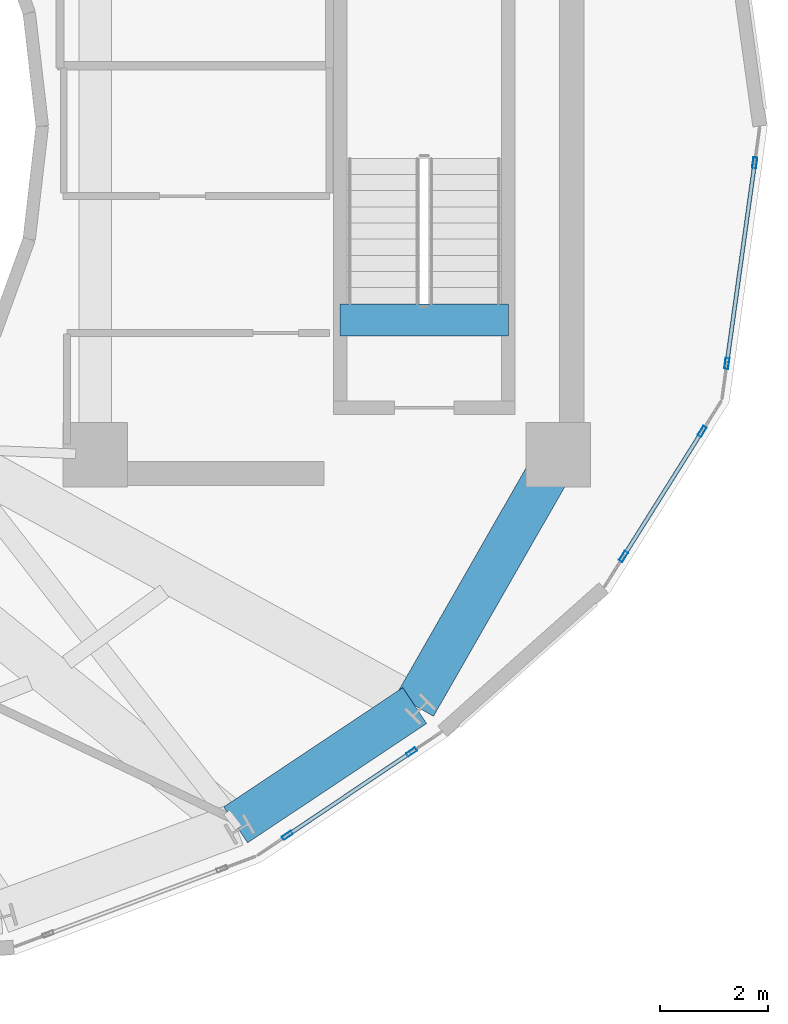
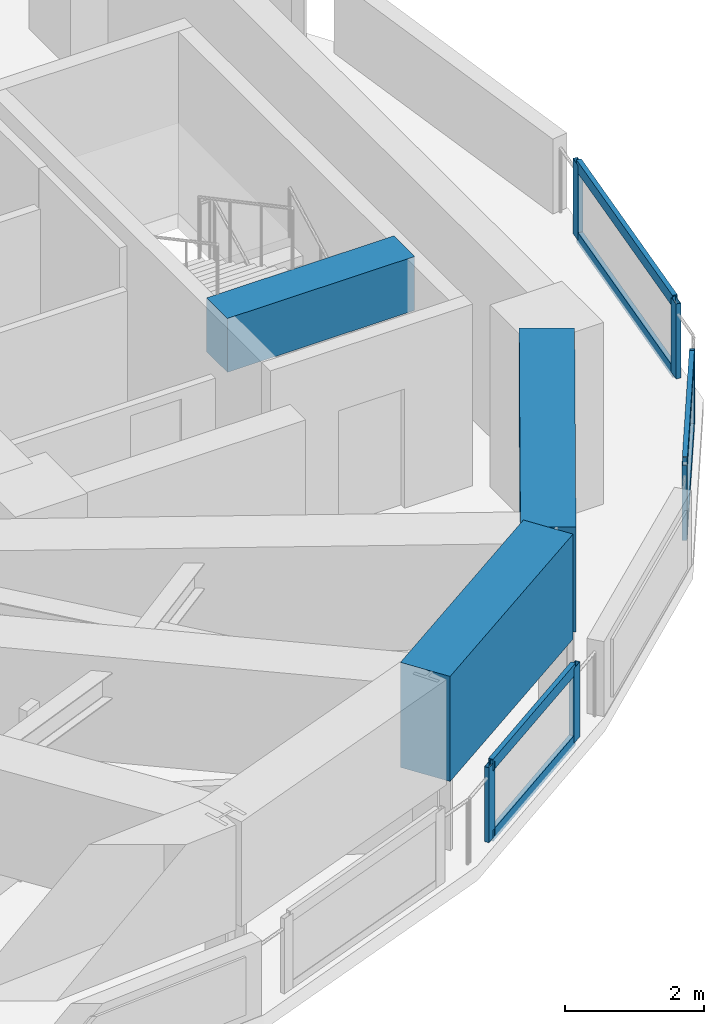
# One storey, part 10 of 17: 12 members, 3 beams, 3 elements without a shape of their own.
"""IFC4 building model written with IfcOpenShell, lengths in metres."""

from ifc_helpers import new_model, si_unit, direction, frame, origin, origin_2d, place, context, subcontext, project, spatial, rectangle, hollow_rectangle, extrude, material, layer, layer_set, material_profile, profile_set, type_object, element, aggregate, save


model = new_model("IFC4")

# Units and contexts
model_context = context("Model", 3, precision=1e-05, world=origin(), true_north=direction((0.0, 1.0)))
body_context = subcontext(model_context, "Body", "Model", "MODEL_VIEW")
ifc_project = project(units=[si_unit("LENGTHUNIT", "METRE"), si_unit("AREAUNIT", "SQUARE_METRE"), si_unit("VOLUMEUNIT", "CUBIC_METRE"), si_unit("PLANEANGLEUNIT", "RADIAN"), si_unit("MASSUNIT", "GRAM", prefix="KILO")], contexts=[model_context])

# Site, building, storey
site_placement = place(None, origin())
site = spatial("IfcSite", under=ifc_project, at=site_placement, CompositionType="ELEMENT")
building_placement = place(site_placement, origin())
building = spatial("IfcBuilding", under=site, at=building_placement, Name="Solvane Sanctuary Tower", CompositionType="ELEMENT")
storey_placement = place(building_placement, frame((0.0, 0.0, 270.0)))
storey = spatial("IfcBuildingStorey", under=building, at=storey_placement, Name="L82", CompositionType="ELEMENT", Elevation=270.0)

# Beams
ifc_material_1 = material(Name="Concrete C70/85", Category="concrete")
ifc_material_profile_1 = material_profile(ifc_material_1, rectangle(XDim=0.60009765625, YDim=0.949951171875, at=origin_2d()), Name="RC600X950")
ifc_profile_set_1 = profile_set([ifc_material_profile_1], Name="Concrete C70/85")
beam_type_1 = type_object("IfcBeamType", Name="Beam B-COUPLE RC600X950", PredefinedType="LINTEL", material=ifc_profile_set_1)
beam_1_placement = place(storey_placement, frame((44.64990234375, 19.399169921875, 2.72509765625), z_axis=(1.0, 0.0, 0.0), x_axis=(0.0, 1.0, 0.0)))
element("IfcBeam", 1, at=beam_1_placement, inside=storey, type_object=beam_type_1, Name="L82 ST-2 Stair Floor Landing Trimmer", PredefinedType="LINTEL", context=body_context, shape_type="SweptSolid", body=[
    extrude(rectangle(XDim=0.60009765625, YDim=0.949951171875, at=origin_2d()), origin(), (0.0, 0.0, 1.0), 3.1201171875),
])
ifc_material_profile_2 = material_profile(ifc_material_1, rectangle(XDim=0.800048828125, YDim=1.85009765625, at=origin_2d()), Name="RC800X1850")
ifc_profile_set_2 = profile_set([ifc_material_profile_2], Name="Concrete C70/85")
beam_type_2 = type_object("IfcBeamType", Name="Beam B-XFER-BLK RC800X1850", PredefinedType="BEAM", material=ifc_profile_set_2)
beam_2_placement = place(storey_placement, frame((42.7080078125, 10.027099609375, 2.27490234375), z_axis=(0.832388474479, 0.55419259067, 0.0), x_axis=(-0.55419259067, 0.832388474479, 0.0)))
element("IfcBeam", 2, at=beam_2_placement, inside=storey, type_object=beam_type_2, Name="L82 Perimeter Step Transfer Ring NTC13-NTC14", PredefinedType="BEAM", context=body_context, shape_type="SweptSolid", body=[
    extrude(rectangle(XDim=0.800048828125, YDim=1.85009765625, at=origin_2d()), origin(), (0.0, 0.0, 1.0), 3.99658203125),
])
beam_3_placement = place(storey_placement, frame((46.03466796875, 12.241943359375, 2.27490234375), z_axis=(0.496658745957, 0.867945902729, 0.0), x_axis=(-0.867945902729, 0.496658745957, 0.0)))
element("IfcBeam", 3, at=beam_3_placement, inside=storey, type_object=beam_type_2, Name="L82 Perimeter Step Transfer Ring NTC14-CE2", PredefinedType="BEAM", context=body_context, shape_type="SweptSolid", body=[
    extrude(rectangle(XDim=0.800048828125, YDim=1.85009765625, at=origin_2d()), origin(), (0.0, 0.0, 1.0), 5.006591796875),
])

# Curtain wall, members
ifc_material_2 = material(Name="Anodised Aluminium 6063-T6", Category="aluminium")
ifc_layer = layer(ifc_material_2, 0.219970703125, Name="Anodised Aluminium 6063-T6")
ifc_layer_set = layer_set([ifc_layer], Name="Anodised Aluminium 6063-T6")
curtain_wall_type = type_object("IfcCurtainWallType", Name="Curtain Wall CW-CROWN", PredefinedType="NOTDEFINED", material=ifc_layer_set)
curtain_wall_1_placement = place(storey_placement, origin())
curtain_wall_1 = element("IfcCurtainWall", 4, at=curtain_wall_1_placement, inside=storey, type_object=curtain_wall_type, Name="L82 Crown Fritted Lantern Curtain Wall 20", PredefinedType="NOTDEFINED")
ifc_material_profile_3 = material_profile(ifc_material_2, hollow_rectangle(XDim=0.074951171875, YDim=0.199951171875, WallThickness=0.00390625, at=origin_2d()), Name="ALU200X75X4")
ifc_profile_set_3 = profile_set([ifc_material_profile_3], Name="Anodised Aluminium 6063-T6")
member_type_1 = type_object("IfcMemberType", Name="Member M-CW-MUL-1 ALU200X75X4", PredefinedType="MULLION", material=ifc_profile_set_3)
member_1_placement = place(storey_placement, frame((43.669921875, 9.834228515625, 0.0), z_axis=(0.0, 0.0, 1.0), x_axis=(-0.557125161397, 0.830428536684, 0.0)))
member_1 = element("IfcMember", 5, at=member_1_placement, type_object=member_type_1, Name="CW-CROWN mullion 1", PredefinedType="MULLION", context=body_context, shape_type="SweptSolid", body=[
    extrude(hollow_rectangle(XDim=0.074951171875, YDim=0.199951171875, WallThickness=0.00390625, at=origin_2d()), origin(), (0.0, 0.0, 1.0), 1.320068359375),
])
member_2_placement = place(storey_placement, frame((45.97607421875, 11.38134765625, 0.0), z_axis=(0.0, 0.0, 1.0), x_axis=(-0.557125161397, 0.830428536684, 0.0)))
member_2 = element("IfcMember", 6, at=member_2_placement, type_object=member_type_1, Name="CW-CROWN mullion 2", PredefinedType="MULLION", context=body_context, shape_type="SweptSolid", body=[
    extrude(hollow_rectangle(XDim=0.074951171875, YDim=0.199951171875, WallThickness=0.00390625, at=origin_2d()), origin(), (0.0, 0.0, 1.0), 1.320068359375),
])

curtain_wall_2_placement = place(storey_placement, origin())
curtain_wall_2 = element("IfcCurtainWall", 7, at=curtain_wall_2_placement, inside=storey, type_object=curtain_wall_type, Name="L82 Crown Fritted Lantern Curtain Wall 22", PredefinedType="NOTDEFINED")
member_3_placement = place(storey_placement, frame((49.908203125, 15.009765625, 0.0), z_axis=(0.0, 0.0, 1.0), x_axis=(-0.84660365243, 0.532223877416, 0.0)))
member_3 = element("IfcMember", 8, at=member_3_placement, type_object=member_type_1, Name="CW-CROWN mullion 1", PredefinedType="MULLION", context=body_context, shape_type="SweptSolid", body=[
    extrude(hollow_rectangle(XDim=0.074951171875, YDim=0.199951171875, WallThickness=0.00390625, at=origin_2d()), origin(), (0.0, 0.0, 1.0), 1.320068359375),
])
member_4_placement = place(storey_placement, frame((51.367919921875, 17.33154296875, 0.0), z_axis=(0.0, 0.0, 1.0), x_axis=(-0.84660365243, 0.532223877416, 0.0)))
member_4 = element("IfcMember", 9, at=member_4_placement, type_object=member_type_1, Name="CW-CROWN mullion 2", PredefinedType="MULLION", context=body_context, shape_type="SweptSolid", body=[
    extrude(hollow_rectangle(XDim=0.074951171875, YDim=0.199951171875, WallThickness=0.00390625, at=origin_2d()), origin(), (0.0, 0.0, 1.0), 1.320068359375),
])

curtain_wall_3_placement = place(storey_placement, origin())
curtain_wall_3 = element("IfcCurtainWall", 10, at=curtain_wall_3_placement, inside=storey, type_object=curtain_wall_type, Name="L82 Crown Fritted Lantern Curtain Wall 23", PredefinedType="NOTDEFINED")
member_5_placement = place(storey_placement, frame((51.828369140625, 18.594482421875, 0.0), z_axis=(0.0, 0.0, 1.0), x_axis=(-0.990499772181, 0.13751436765, 0.0)))
member_5 = element("IfcMember", 11, at=member_5_placement, type_object=member_type_1, Name="CW-CROWN mullion 1", PredefinedType="MULLION", context=body_context, shape_type="SweptSolid", body=[
    extrude(hollow_rectangle(XDim=0.074951171875, YDim=0.199951171875, WallThickness=0.00390625, at=origin_2d()), origin(), (0.0, 0.0, 1.0), 1.320068359375),
])
member_6_placement = place(storey_placement, frame((52.345458984375, 22.319091796875, 0.0), z_axis=(0.0, 0.0, 1.0), x_axis=(-0.990499772181, 0.13751436765, 0.0)))
member_6 = element("IfcMember", 12, at=member_6_placement, type_object=member_type_1, Name="CW-CROWN mullion 2", PredefinedType="MULLION", context=body_context, shape_type="SweptSolid", body=[
    extrude(hollow_rectangle(XDim=0.074951171875, YDim=0.199951171875, WallThickness=0.00390625, at=origin_2d()), origin(), (0.0, 0.0, 1.0), 1.320068359375),
])

# Member
ifc_material_profile_4 = material_profile(ifc_material_2, hollow_rectangle(XDim=0.074951171875, YDim=0.199951171875, WallThickness=0.00390625, at=origin_2d()), Name="ALU200X75X4")
ifc_profile_set_4 = profile_set([ifc_material_profile_4], Name="Anodised Aluminium 6063-T6")
member_type_2 = type_object("IfcMemberType", Name="Member M-CW-TRN-2 ALU200X75X4", PredefinedType="USERDEFINED", material=ifc_profile_set_4)
member_7_placement = place(storey_placement, frame((43.701171875, 9.85498046875, 0.03759765625), z_axis=(0.830392523635, 0.55717883726, 0.0), x_axis=(-0.55717883726, 0.830392523635, 0.0)))
member_7 = element("IfcMember", 13, at=member_7_placement, type_object=member_type_2, Name="CW-CROWN transom 1.1", ObjectType="TRANSOM", PredefinedType="USERDEFINED", context=body_context, shape_type="SweptSolid", body=[
    extrude(hollow_rectangle(XDim=0.074951171875, YDim=0.199951171875, WallThickness=0.00390625, at=origin_2d()), origin(), (0.0, 0.0, 1.0), 2.7021484375),
])

member_8_placement = place(storey_placement, frame((43.701171875, 9.85498046875, 1.282470703125), z_axis=(0.830392523635, 0.55717883726, 0.0), x_axis=(-0.55717883726, 0.830392523635, 0.0)))
member_8 = element("IfcMember", 14, at=member_8_placement, type_object=member_type_2, Name="CW-CROWN transom 1.2", ObjectType="TRANSOM", PredefinedType="USERDEFINED", context=body_context, shape_type="SweptSolid", body=[
    extrude(hollow_rectangle(XDim=0.074951171875, YDim=0.199951171875, WallThickness=0.00390625, at=origin_2d()), origin(), (0.0, 0.0, 1.0), 2.7021484375),
])

aggregate(curtain_wall_1, [member_1, member_2, member_7, member_8])

member_9_placement = place(storey_placement, frame((49.92822265625, 15.04150390625, 0.03759765625), z_axis=(0.532218404821, 0.846607092794, 0.0), x_axis=(-0.846607092794, 0.532218404821, 0.0)))
member_9 = element("IfcMember", 15, at=member_9_placement, type_object=member_type_2, Name="CW-CROWN transom 1.1", ObjectType="TRANSOM", PredefinedType="USERDEFINED", context=body_context, shape_type="SweptSolid", body=[
    extrude(hollow_rectangle(XDim=0.074951171875, YDim=0.199951171875, WallThickness=0.00390625, at=origin_2d()), origin(), (0.0, 0.0, 1.0), 2.66748046875),
])

member_10_placement = place(storey_placement, frame((49.92822265625, 15.04150390625, 1.282470703125), z_axis=(0.532218404821, 0.846607092794, 0.0), x_axis=(-0.846607092794, 0.532218404821, 0.0)))
member_10 = element("IfcMember", 16, at=member_10_placement, type_object=member_type_2, Name="CW-CROWN transom 1.2", ObjectType="TRANSOM", PredefinedType="USERDEFINED", context=body_context, shape_type="SweptSolid", body=[
    extrude(hollow_rectangle(XDim=0.074951171875, YDim=0.199951171875, WallThickness=0.00390625, at=origin_2d()), origin(), (0.0, 0.0, 1.0), 2.66748046875),
])

aggregate(curtain_wall_2, [member_3, member_4, member_9, member_10])

member_11_placement = place(storey_placement, frame((51.83349609375, 18.631591796875, 0.03759765625), z_axis=(0.13752504347, 0.990498289962, 0.0), x_axis=(-0.990498289962, 0.13752504347, 0.0)))
member_11 = element("IfcMember", 17, at=member_11_placement, type_object=member_type_2, Name="CW-CROWN transom 1.1", ObjectType="TRANSOM", PredefinedType="USERDEFINED", context=body_context, shape_type="SweptSolid", body=[
    extrude(hollow_rectangle(XDim=0.074951171875, YDim=0.199951171875, WallThickness=0.00390625, at=origin_2d()), origin(), (0.0, 0.0, 1.0), 3.685302734375),
])

member_12_placement = place(storey_placement, frame((51.83349609375, 18.631591796875, 1.282470703125), z_axis=(0.13752504347, 0.990498289962, 0.0), x_axis=(-0.990498289962, 0.13752504347, 0.0)))
member_12 = element("IfcMember", 18, at=member_12_placement, type_object=member_type_2, Name="CW-CROWN transom 1.2", ObjectType="TRANSOM", PredefinedType="USERDEFINED", context=body_context, shape_type="SweptSolid", body=[
    extrude(hollow_rectangle(XDim=0.074951171875, YDim=0.199951171875, WallThickness=0.00390625, at=origin_2d()), origin(), (0.0, 0.0, 1.0), 3.685302734375),
])

aggregate(curtain_wall_3, [member_5, member_6, member_11, member_12])

save(model, "model.ifc")
